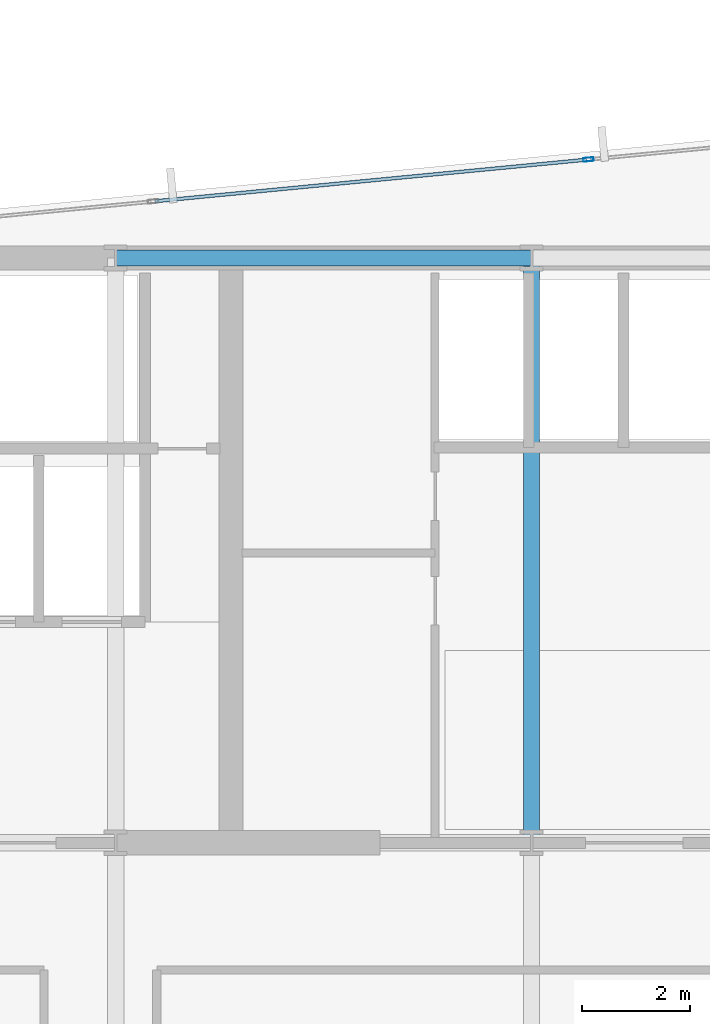
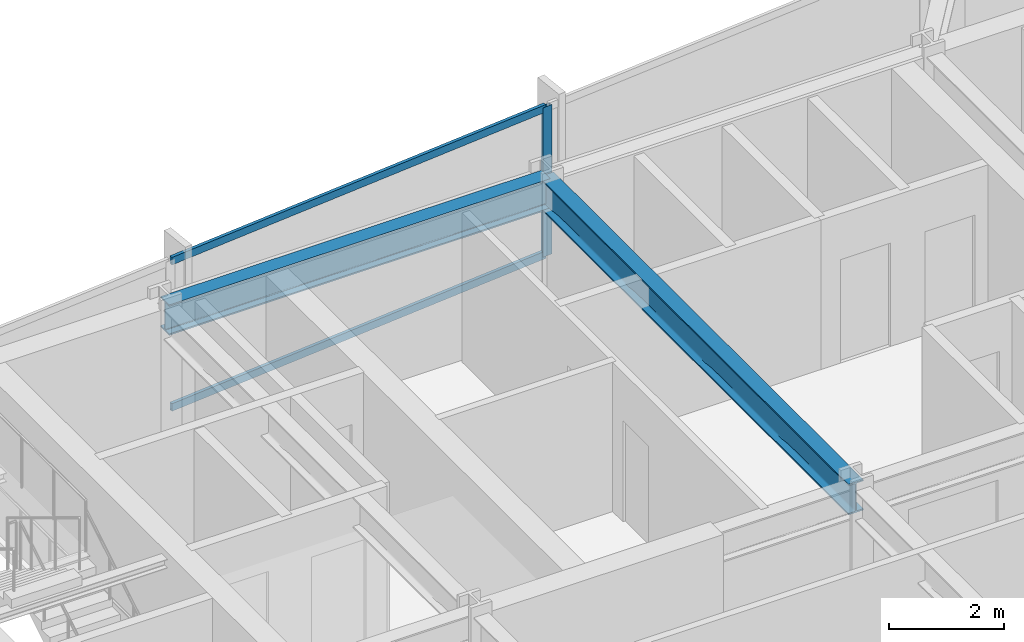
# One storey, part 19 of 32: 3 members, 2 beams, 1 element without a shape of its own.
"""IFC4 building model written with IfcOpenShell, lengths in metres."""

from ifc_helpers import new_model, si_unit, direction, frame, origin, origin_2d, place, context, subcontext, project, spatial, hollow_rectangle, i_section, extrude, material, material_profile, profile_set, type_object, element, aggregate, save


model = new_model("IFC4")

# Units and contexts
model_context = context("Model", 3, precision=1e-05, world=origin(), true_north=direction((0.0, 1.0)))
body_context = subcontext(model_context, "Body", "Model", "MODEL_VIEW")
ifc_project = project(units=[si_unit("LENGTHUNIT", "METRE"), si_unit("AREAUNIT", "SQUARE_METRE"), si_unit("VOLUMEUNIT", "CUBIC_METRE"), si_unit("PLANEANGLEUNIT", "RADIAN"), si_unit("MASSUNIT", "GRAM", prefix="KILO")], contexts=[model_context])

# Site, building, storey
site_placement = place(None, origin())
site = spatial("IfcSite", under=ifc_project, at=site_placement, CompositionType="ELEMENT")
building_placement = place(site_placement, origin())
building = spatial("IfcBuilding", under=site, at=building_placement, Name="Yelkora Congress Tower", CompositionType="ELEMENT")
storey_placement = place(building_placement, frame((0.0, 0.0, 96.5)))
storey = spatial("IfcBuildingStorey", under=building, at=storey_placement, Name="L25", CompositionType="ELEMENT", Elevation=96.5)

# Beams
ifc_material_1 = material(Name="Steel S355J2", Category="steel")
ifc_material_profile_1 = material_profile(ifc_material_1, i_section(OverallWidth=0.300048828125, OverallDepth=0.64990234375, WebThickness=0.01611328125, FlangeThickness=0.031005859375, FilletRadius=0.027099609375, at=origin_2d()), Name="HEB 650")
ifc_profile_set_1 = profile_set([ifc_material_profile_1], Name="Steel S355J2")
beam_type = type_object("IfcBeamType", Name="BM-GIRD-HEB650", PredefinedType="BEAM", material=ifc_profile_set_1)
beam_1_placement = place(storey_placement, frame((30.719970703125, 46.199951171875, 2.85498046875), z_axis=(1.0, 0.0, 0.0), x_axis=(0.0, 1.0, 0.0)))
element("IfcBeam", 1, at=beam_1_placement, inside=storey, type_object=beam_type, Name="L25 Core North Girder 3", PredefinedType="BEAM", context=body_context, shape_type="SweptSolid", body=[
    extrude(i_section(OverallWidth=0.300048828125, OverallDepth=0.64990234375, WebThickness=0.01611328125, FlangeThickness=0.031005859375, FilletRadius=0.027099609375, at=origin_2d()), origin(), (0.0, 0.0, 1.0), 7.679931640625),
])
beam_2_placement = place(storey_placement, frame((38.39990234375, 35.39990234375, 2.85498046875), z_axis=(0.0, 1.0, 0.0), x_axis=(-1.0, 0.0, 0.0)))
element("IfcBeam", 2, at=beam_2_placement, inside=storey, type_object=beam_type, Name="L25 Core Tie Girder MC-S3", PredefinedType="BEAM", context=body_context, shape_type="SweptSolid", body=[
    extrude(i_section(OverallWidth=0.300048828125, OverallDepth=0.64990234375, WebThickness=0.01611328125, FlangeThickness=0.031005859375, FilletRadius=0.027099609375, at=origin_2d()), origin(), (0.0, 0.0, 1.0), 10.800048828125),
])

# Curtain wall, members
ifc_material_2 = material(Name="Anodised aluminium and insulated glass", Category="aluminium")
curtain_wall_type = type_object("IfcCurtainWallType", Name="CW-SYS-B2", PredefinedType="NOTDEFINED", material=ifc_material_2)
curtain_wall_placement = place(storey_placement, origin())
curtain_wall = element("IfcCurtainWall", 3, at=curtain_wall_placement, inside=storey, type_object=curtain_wall_type, Name="L25 Unitised Curtain Wall 10 (3)", PredefinedType="NOTDEFINED")
ifc_material_3 = material(Name="Anodised aluminium 6063-T6", Category="aluminium")
ifc_material_profile_2 = material_profile(ifc_material_3, hollow_rectangle(XDim=0.070068359375, YDim=0.18994140625, WallThickness=0.00390625, at=origin_2d()), Name="ALU 70x190x4")
ifc_profile_set_2 = profile_set([ifc_material_profile_2], Name="Anodised aluminium 6063-T6")
member_type_1 = type_object("IfcMemberType", Name="MEM-ML-B2", PredefinedType="MULLION", material=ifc_profile_set_2)
member_1_placement = place(storey_placement, frame((39.451904296875, 48.018310546875, 0.0), z_axis=(0.0, 0.0, 1.0), x_axis=(-0.095844238468, 0.995396344153, 0.0)))
member_1 = element("IfcMember", 4, at=member_1_placement, type_object=member_type_1, Name="CW-B2 mullion 3", PredefinedType="MULLION", context=body_context, shape_type="SweptSolid", body=[
    extrude(hollow_rectangle(XDim=0.070068359375, YDim=0.18994140625, WallThickness=0.00390625, at=origin_2d()), origin(), (0.0, 0.0, 1.0), 3.179931640625),
])
ifc_material_profile_3 = material_profile(ifc_material_3, hollow_rectangle(XDim=0.06494140625, YDim=0.159912109375, WallThickness=0.00390625, at=origin_2d()), Name="ALU 65x160x4")
ifc_profile_set_3 = profile_set([ifc_material_profile_3], Name="Anodised aluminium 6063-T6")
member_type_2 = type_object("IfcMemberType", Name="MEM-TR-B2", PredefinedType="USERDEFINED", material=ifc_profile_set_3)
member_2_placement = place(storey_placement, frame((31.44677734375, 47.24755859375, 0.032470703125), z_axis=(0.995397793901, 0.09582918082, 0.0), x_axis=(-0.09582918082, 0.995397793901, 0.0)))
member_2 = element("IfcMember", 5, at=member_2_placement, type_object=member_type_2, Name="CW-B2 transom 2.1", ObjectType="TRANSOM", PredefinedType="USERDEFINED", context=body_context, shape_type="SweptSolid", body=[
    extrude(hollow_rectangle(XDim=0.06494140625, YDim=0.159912109375, WallThickness=0.00390625, at=origin_2d()), origin(), (0.0, 0.0, 1.0), 8.00732421875),
])
member_3_placement = place(storey_placement, frame((31.44677734375, 47.24755859375, 3.1474609375), z_axis=(0.995397793901, 0.09582918082, 0.0), x_axis=(-0.09582918082, 0.995397793901, 0.0)))
member_3 = element("IfcMember", 6, at=member_3_placement, type_object=member_type_2, Name="CW-B2 transom 2.2", ObjectType="TRANSOM", PredefinedType="USERDEFINED", context=body_context, shape_type="SweptSolid", body=[
    extrude(hollow_rectangle(XDim=0.06494140625, YDim=0.159912109375, WallThickness=0.00390625, at=origin_2d()), origin(), (0.0, 0.0, 1.0), 8.00732421875),
])
aggregate(curtain_wall, [member_1, member_2, member_3])

save(model, "model.ifc")
